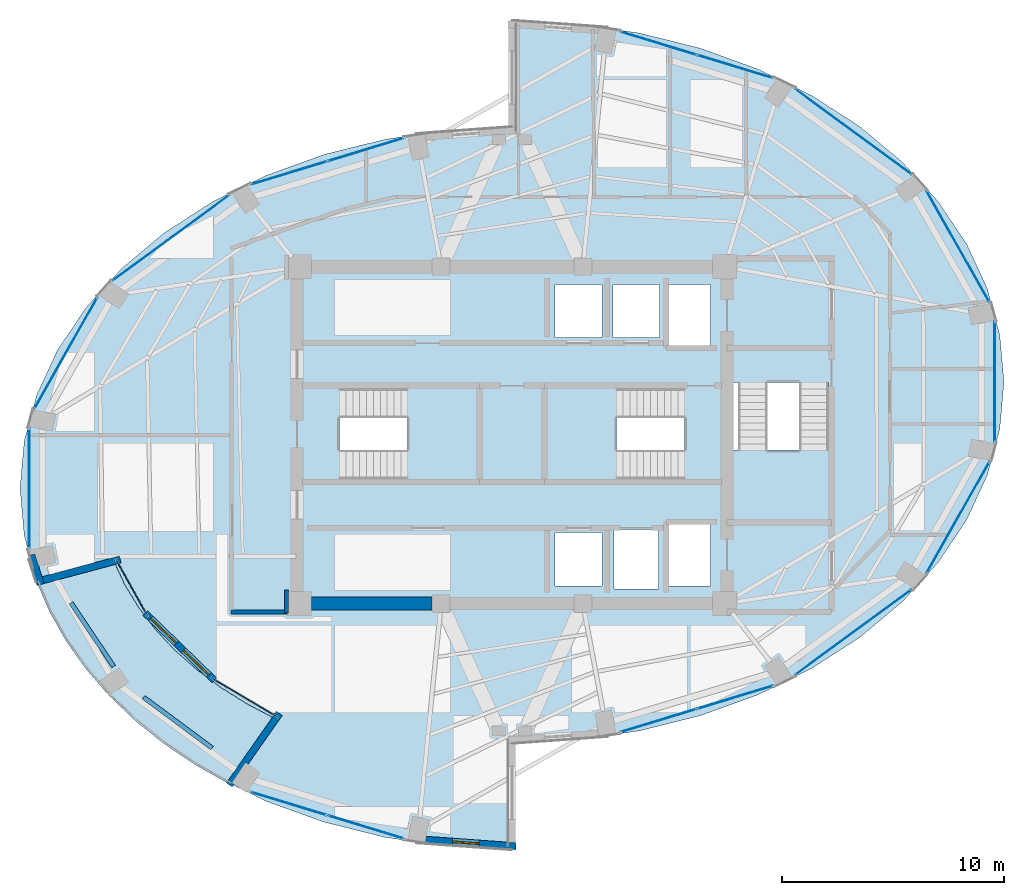
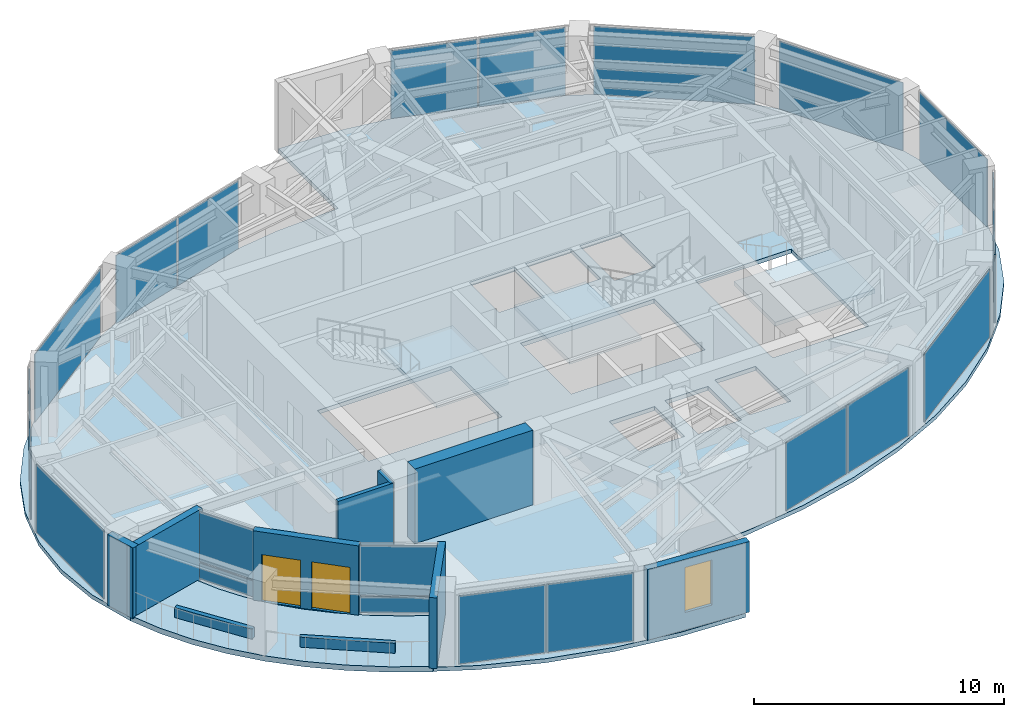
# One storey, part 16 of 21: 20 plates, 10 walls, 5 slabs, 2 doors, 1 window, 3 openings, 17 elements without a shape of their own.
"""IFC4 building model written with IfcOpenShell, lengths in metres."""

from ifc_helpers import new_model, si_unit, direction, frame, frame_2d, origin, origin_2d, place, context, subcontext, project, spatial, polyline, rectangle, outline, extrude, material, layer, layer_set, type_object, element, fill, aggregate, save


model = new_model("IFC4")

# Units and contexts
model_context = context("Model", 3, precision=1e-05, world=origin(), true_north=direction((0.0, 1.0)))
body_context = subcontext(model_context, "Body", "Model", "MODEL_VIEW")
ifc_project = project(units=[si_unit("LENGTHUNIT", "METRE"), si_unit("AREAUNIT", "SQUARE_METRE"), si_unit("VOLUMEUNIT", "CUBIC_METRE"), si_unit("PLANEANGLEUNIT", "RADIAN"), si_unit("MASSUNIT", "GRAM", prefix="KILO")], contexts=[model_context])

# Site, building, storey
site_placement = place(None, origin())
site = spatial("IfcSite", under=ifc_project, at=site_placement, CompositionType="ELEMENT")
building_placement = place(site_placement, origin())
building = spatial("IfcBuilding", under=site, at=building_placement, Name="Lazwardi Medical Tower", CompositionType="ELEMENT")
storey_placement = place(building_placement, frame((0.0, 0.0, 216.719970703125)))
storey = spatial("IfcBuildingStorey", under=building, at=storey_placement, Name="L56", CompositionType="ELEMENT", Elevation=216.719970703125)

# Curtain wall, plates
ifc_material_1 = material(Name="Anodised bronze aluminium and solar control glazing", Category="aluminium")
ifc_layer_1 = layer(ifc_material_1, 0.18994140625)
ifc_layer_set_1 = layer_set([ifc_layer_1], Name="Anodised bronze aluminium and solar control glazing")
curtain_wall_type_1 = type_object("IfcCurtainWallType", Name="CW-SYS-04", PredefinedType="NOTDEFINED", material=ifc_layer_set_1)
curtain_wall_1_placement = place(storey_placement, origin())
curtain_wall_1 = element("IfcCurtainWall", 1, at=curtain_wall_1_placement, inside=storey, type_object=curtain_wall_type_1, Name="L56 Unitised bronze curtain wall CW-04", PredefinedType="NOTDEFINED")
ifc_material_2 = material(Name="Low-e bronze solar control double glazing", Category="glass")
ifc_layer_2 = layer(ifc_material_2, 0.035888671875)
ifc_layer_set_2 = layer_set([ifc_layer_2], Name="Low-e bronze solar control double glazing")
plate_type_1 = type_object("IfcPlateType", Name="PLT-GLZ-01", PredefinedType="CURTAIN_PANEL", material=ifc_layer_set_2)
plate_1_placement = place(storey_placement, frame((42.604736328125, 15.118896484375, 0.06494140625), z_axis=(0.0, 0.0, 1.0), x_axis=(0.956850126972, 0.290581889515, 0.0)))
plate_1 = element("IfcPlate", 2, at=plate_1_placement, type_object=plate_type_1, Name="CW-04 panel 1.1", PredefinedType="CURTAIN_PANEL", context=body_context, shape_type="SweptSolid", body=[
    extrude(rectangle(XDim=3.554443359375, YDim=0.035888671875, at=origin_2d()), origin(), (0.0, 0.0, 1.0), 3.318115234375),
])
plate_2_placement = place(storey_placement, frame((46.068115234375, 16.170654296875, 0.06494140625), z_axis=(0.0, 0.0, 1.0), x_axis=(0.956850126972, 0.290581889515, 0.0)))
plate_2 = element("IfcPlate", 3, at=plate_2_placement, type_object=plate_type_1, Name="CW-04 panel 2.1", PredefinedType="CURTAIN_PANEL", context=body_context, shape_type="SweptSolid", body=[
    extrude(rectangle(XDim=3.554443359375, YDim=0.035888671875, at=origin_2d()), origin(), (0.0, 0.0, 1.0), 3.318115234375),
])
aggregate(curtain_wall_1, [plate_1, plate_2])

# Curtain wall, plate
curtain_wall_2_placement = place(storey_placement, origin())
curtain_wall_2 = element("IfcCurtainWall", 4, at=curtain_wall_2_placement, inside=storey, type_object=curtain_wall_type_1, Name="L56 Unitised bronze curtain wall CW-04", PredefinedType="NOTDEFINED")
plate_3_placement = place(storey_placement, frame((51.403564453125, 19.106689453125, 0.06494140625), z_axis=(0.0, 0.0, 1.0), x_axis=(0.806474971121, 0.591268230971, 0.0)))
plate_3 = element("IfcPlate", 5, at=plate_3_placement, type_object=plate_type_1, Name="CW-04 panel 1.1", PredefinedType="CURTAIN_PANEL", context=body_context, shape_type="SweptSolid", body=[
    extrude(rectangle(XDim=6.502685546875, YDim=0.035888671875, at=origin_2d()), origin(), (0.0, 0.0, 1.0), 3.318115234375),
])
aggregate(curtain_wall_2, [plate_3])

curtain_wall_3_placement = place(storey_placement, origin())
curtain_wall_3 = element("IfcCurtainWall", 6, at=curtain_wall_3_placement, inside=storey, type_object=curtain_wall_type_1, Name="L56 Unitised bronze curtain wall CW-04", PredefinedType="NOTDEFINED")
plate_4_placement = place(storey_placement, frame((56.125732421875, 24.2880859375, 0.06494140625), z_axis=(0.0, 0.0, 1.0), x_axis=(0.491900474661, 0.870651436011, 0.0)))
plate_4 = element("IfcPlate", 7, at=plate_4_placement, type_object=plate_type_1, Name="CW-04 panel 1.1", PredefinedType="CURTAIN_PANEL", context=body_context, shape_type="SweptSolid", body=[
    extrude(rectangle(XDim=5.755126953125, YDim=0.035888671875, at=origin_2d()), origin(), (0.0, 0.0, 1.0), 3.318115234375),
])
aggregate(curtain_wall_3, [plate_4])

curtain_wall_4_placement = place(storey_placement, origin())
curtain_wall_4 = element("IfcCurtainWall", 8, at=curtain_wall_4_placement, inside=storey, type_object=curtain_wall_type_1, Name="L56 Unitised bronze curtain wall CW-04", PredefinedType="NOTDEFINED")
plate_5_placement = place(storey_placement, frame((57.7841796875, 30.39990234375, 0.06494140625), z_axis=(0.0, 0.0, 1.0), x_axis=(0.0, 1.0, 0.0)))
plate_5 = element("IfcPlate", 9, at=plate_5_placement, type_object=plate_type_1, Name="CW-04 panel 1.1", PredefinedType="CURTAIN_PANEL", context=body_context, shape_type="SweptSolid", body=[
    extrude(rectangle(XDim=5.416015625, YDim=0.035888671875, at=origin_2d()), origin(), (0.0, 0.0, 1.0), 3.318115234375),
])
aggregate(curtain_wall_4, [plate_5])

curtain_wall_5_placement = place(storey_placement, origin())
curtain_wall_5 = element("IfcCurtainWall", 10, at=curtain_wall_5_placement, inside=storey, type_object=curtain_wall_type_1, Name="L56 Unitised bronze curtain wall CW-04", PredefinedType="NOTDEFINED")
plate_6_placement = place(storey_placement, frame((56.125732421875, 36.511962890625, 0.06494140625), z_axis=(0.0, 0.0, 1.0), x_axis=(-0.491900474661, 0.870651436011, 0.0)))
plate_6 = element("IfcPlate", 11, at=plate_6_placement, type_object=plate_type_1, Name="CW-04 panel 1.1", PredefinedType="CURTAIN_PANEL", context=body_context, shape_type="SweptSolid", body=[
    extrude(rectangle(XDim=5.755126953125, YDim=0.035888671875, at=origin_2d()), origin(), (0.0, 0.0, 1.0), 3.318115234375),
])
aggregate(curtain_wall_5, [plate_6])

curtain_wall_6_placement = place(storey_placement, origin())
curtain_wall_6 = element("IfcCurtainWall", 12, at=curtain_wall_6_placement, inside=storey, type_object=curtain_wall_type_1, Name="L56 Unitised bronze curtain wall CW-04", PredefinedType="NOTDEFINED")
plate_7_placement = place(storey_placement, frame((51.403564453125, 41.693359375, 0.06494140625), z_axis=(0.0, 0.0, 1.0), x_axis=(-0.806474971121, 0.591268230971, 0.0)))
plate_7 = element("IfcPlate", 13, at=plate_7_placement, type_object=plate_type_1, Name="CW-04 panel 1.1", PredefinedType="CURTAIN_PANEL", context=body_context, shape_type="SweptSolid", body=[
    extrude(rectangle(XDim=6.502685546875, YDim=0.035888671875, at=origin_2d()), origin(), (0.0, 0.0, 1.0), 3.318115234375),
])
aggregate(curtain_wall_6, [plate_7])

# Curtain wall, plates
curtain_wall_7_placement = place(storey_placement, origin())
curtain_wall_7 = element("IfcCurtainWall", 14, at=curtain_wall_7_placement, inside=storey, type_object=curtain_wall_type_1, Name="L56 Unitised bronze curtain wall CW-04", PredefinedType="NOTDEFINED")
plate_8_placement = place(storey_placement, frame((46.068115234375, 44.62939453125, 0.06494140625), z_axis=(0.0, 0.0, 1.0), x_axis=(-0.956850126972, 0.290581889515, 0.0)))
plate_8 = element("IfcPlate", 15, at=plate_8_placement, type_object=plate_type_1, Name="CW-04 panel 1.1", PredefinedType="CURTAIN_PANEL", context=body_context, shape_type="SweptSolid", body=[
    extrude(rectangle(XDim=3.554443359375, YDim=0.035888671875, at=origin_2d()), origin(), (0.0, 0.0, 1.0), 3.318115234375),
])
plate_9_placement = place(storey_placement, frame((42.604736328125, 45.68115234375, 0.06494140625), z_axis=(0.0, 0.0, 1.0), x_axis=(-0.956850126972, 0.290581889515, 0.0)))
plate_9 = element("IfcPlate", 16, at=plate_9_placement, type_object=plate_type_1, Name="CW-04 panel 2.1", PredefinedType="CURTAIN_PANEL", context=body_context, shape_type="SweptSolid", body=[
    extrude(rectangle(XDim=3.554443359375, YDim=0.035888671875, at=origin_2d()), origin(), (0.0, 0.0, 1.0), 3.318115234375),
])
aggregate(curtain_wall_7, [plate_8, plate_9])

curtain_wall_8_placement = place(storey_placement, origin())
curtain_wall_8 = element("IfcCurtainWall", 17, at=curtain_wall_8_placement, inside=storey, type_object=curtain_wall_type_1, Name="L56 Unitised bronze curtain wall CW-04", PredefinedType="NOTDEFINED")
plate_10_placement = place(storey_placement, frame((29.395263671875, 40.881103515625, 0.06494140625), z_axis=(0.0, 0.0, 1.0), x_axis=(-0.956850126972, -0.290581889515, 0.0)))
plate_10 = element("IfcPlate", 18, at=plate_10_placement, type_object=plate_type_1, Name="CW-04 panel 1.1", PredefinedType="CURTAIN_PANEL", context=body_context, shape_type="SweptSolid", body=[
    extrude(rectangle(XDim=3.554443359375, YDim=0.035888671875, at=origin_2d()), origin(), (0.0, 0.0, 1.0), 3.318115234375),
])
plate_11_placement = place(storey_placement, frame((25.931884765625, 39.829345703125, 0.06494140625), z_axis=(0.0, 0.0, 1.0), x_axis=(-0.956850126972, -0.290581889515, 0.0)))
plate_11 = element("IfcPlate", 19, at=plate_11_placement, type_object=plate_type_1, Name="CW-04 panel 2.1", PredefinedType="CURTAIN_PANEL", context=body_context, shape_type="SweptSolid", body=[
    extrude(rectangle(XDim=3.554443359375, YDim=0.035888671875, at=origin_2d()), origin(), (0.0, 0.0, 1.0), 3.318115234375),
])
aggregate(curtain_wall_8, [plate_10, plate_11])

# Curtain wall, plate
curtain_wall_9_placement = place(storey_placement, origin())
curtain_wall_9 = element("IfcCurtainWall", 20, at=curtain_wall_9_placement, inside=storey, type_object=curtain_wall_type_1, Name="L56 Unitised bronze curtain wall CW-04", PredefinedType="NOTDEFINED")
plate_12_placement = place(storey_placement, frame((20.596435546875, 36.893310546875, 0.06494140625), z_axis=(0.0, 0.0, 1.0), x_axis=(-0.806474971121, -0.591268230971, 0.0)))
plate_12 = element("IfcPlate", 21, at=plate_12_placement, type_object=plate_type_1, Name="CW-04 panel 1.1", PredefinedType="CURTAIN_PANEL", context=body_context, shape_type="SweptSolid", body=[
    extrude(rectangle(XDim=6.502685546875, YDim=0.035888671875, at=origin_2d()), origin(), (0.0, 0.0, 1.0), 3.318115234375),
])
aggregate(curtain_wall_9, [plate_12])

curtain_wall_10_placement = place(storey_placement, origin())
curtain_wall_10 = element("IfcCurtainWall", 22, at=curtain_wall_10_placement, inside=storey, type_object=curtain_wall_type_1, Name="L56 Unitised bronze curtain wall CW-04", PredefinedType="NOTDEFINED")
plate_13_placement = place(storey_placement, frame((15.874267578125, 31.7119140625, 0.06494140625), z_axis=(0.0, 0.0, 1.0), x_axis=(-0.491900474661, -0.870651436011, 0.0)))
plate_13 = element("IfcPlate", 23, at=plate_13_placement, type_object=plate_type_1, Name="CW-04 panel 1.1", PredefinedType="CURTAIN_PANEL", context=body_context, shape_type="SweptSolid", body=[
    extrude(rectangle(XDim=5.755126953125, YDim=0.035888671875, at=origin_2d()), origin(), (0.0, 0.0, 1.0), 3.318115234375),
])
aggregate(curtain_wall_10, [plate_13])

curtain_wall_11_placement = place(storey_placement, origin())
curtain_wall_11 = element("IfcCurtainWall", 24, at=curtain_wall_11_placement, inside=storey, type_object=curtain_wall_type_1, Name="L56 Unitised bronze curtain wall CW-04", PredefinedType="NOTDEFINED")
plate_14_placement = place(storey_placement, frame((14.2158203125, 25.60009765625, 0.06494140625), z_axis=(0.0, 0.0, 1.0), x_axis=(0.0, -1.0, 0.0)))
plate_14 = element("IfcPlate", 25, at=plate_14_placement, type_object=plate_type_1, Name="CW-04 panel 1.1", PredefinedType="CURTAIN_PANEL", context=body_context, shape_type="SweptSolid", body=[
    extrude(rectangle(XDim=5.416015625, YDim=0.035888671875, at=origin_2d()), origin(), (0.0, 0.0, 1.0), 3.318115234375),
])
aggregate(curtain_wall_11, [plate_14])

# Curtain wall, plates
curtain_wall_12_placement = place(storey_placement, origin())
curtain_wall_12 = element("IfcCurtainWall", 26, at=curtain_wall_12_placement, inside=storey, type_object=curtain_wall_type_1, Name="L56 Unitised bronze curtain wall CW-04", PredefinedType="NOTDEFINED")
plate_15_placement = place(storey_placement, frame((25.931884765625, 11.37060546875, 0.06494140625), z_axis=(0.0, 0.0, 1.0), x_axis=(0.956850126972, -0.290581889515, 0.0)))
plate_15 = element("IfcPlate", 27, at=plate_15_placement, type_object=plate_type_1, Name="CW-04 panel 1.1", PredefinedType="CURTAIN_PANEL", context=body_context, shape_type="SweptSolid", body=[
    extrude(rectangle(XDim=3.554443359375, YDim=0.035888671875, at=origin_2d()), origin(), (0.0, 0.0, 1.0), 3.318115234375),
])
plate_16_placement = place(storey_placement, frame((29.395263671875, 10.31884765625, 0.06494140625), z_axis=(0.0, 0.0, 1.0), x_axis=(0.956850126972, -0.290581889515, 0.0)))
plate_16 = element("IfcPlate", 28, at=plate_16_placement, type_object=plate_type_1, Name="CW-04 panel 2.1", PredefinedType="CURTAIN_PANEL", context=body_context, shape_type="SweptSolid", body=[
    extrude(rectangle(XDim=3.554443359375, YDim=0.035888671875, at=origin_2d()), origin(), (0.0, 0.0, 1.0), 3.318115234375),
])
aggregate(curtain_wall_12, [plate_15, plate_16])

ifc_layer_3 = layer(ifc_material_1, 0.239990234375)
ifc_layer_set_3 = layer_set([ifc_layer_3], Name="Anodised bronze aluminium and solar control glazing")
curtain_wall_type_2 = type_object("IfcCurtainWallType", Name="CW-SYS-05", PredefinedType="NOTDEFINED", material=ifc_layer_set_3)
curtain_wall_13_placement = place(storey_placement, origin())
curtain_wall_13 = element("IfcCurtainWall", 29, at=curtain_wall_13_placement, inside=storey, type_object=curtain_wall_type_2, Name="L56 Unitised bronze curtain wall CW-05", PredefinedType="NOTDEFINED")
ifc_material_3 = material(Name="Laminated acoustic bronze double glazing", Category="glass")
ifc_layer_4 = layer(ifc_material_3, 0.0419921875)
ifc_layer_set_4 = layer_set([ifc_layer_4], Name="Laminated acoustic bronze double glazing")
plate_type_2 = type_object("IfcPlateType", Name="PLT-GLZ-02", PredefinedType="CURTAIN_PANEL", material=ifc_layer_set_4)
plate_17_placement = place(storey_placement, frame((18.842041015625, 21.116455078125, 0.0849609375), z_axis=(0.0, 0.0, 1.0), x_axis=(0.491175574998, -0.871060591765, 0.0)))
plate_17 = element("IfcPlate", 30, at=plate_17_placement, type_object=plate_type_2, Name="CW-05 panel 1.1", PredefinedType="CURTAIN_PANEL", context=body_context, shape_type="SweptSolid", body=[
    extrude(rectangle(XDim=2.648681640625, YDim=0.0419921875, at=origin_2d()), origin(), (0.0, 0.0, 1.0), 0.7724609375),
])
plate_18_placement = place(storey_placement, frame((18.842041015625, 21.116455078125, 0.942626953125), z_axis=(0.0, 0.0, 1.0), x_axis=(0.491175574998, -0.871060591765, 0.0)))
plate_18 = element("IfcPlate", 31, at=plate_18_placement, type_object=plate_type_2, Name="CW-05 panel 1.2", PredefinedType="CURTAIN_PANEL", context=body_context, shape_type="SweptSolid", body=[
    extrude(rectangle(XDim=2.648681640625, YDim=0.0419921875, at=origin_2d()), origin(), (0.0, 0.0, 1.0), 2.42041015625),
])
aggregate(curtain_wall_13, [plate_17, plate_18])

curtain_wall_14_placement = place(storey_placement, origin())
curtain_wall_14 = element("IfcCurtainWall", 32, at=curtain_wall_14_placement, inside=storey, type_object=curtain_wall_type_2, Name="L56 Unitised bronze curtain wall CW-05", PredefinedType="NOTDEFINED")
plate_19_placement = place(storey_placement, frame((23.9423828125, 16.15771484375, 0.0849609375), z_axis=(0.0, 0.0, 1.0), x_axis=(0.860604932232, -0.509273159137, 0.0)))
plate_19 = element("IfcPlate", 33, at=plate_19_placement, type_object=plate_type_2, Name="CW-05 panel 1.1", PredefinedType="CURTAIN_PANEL", context=body_context, shape_type="SweptSolid", body=[
    extrude(rectangle(XDim=3.218017578125, YDim=0.0419921875, at=origin_2d()), origin(), (0.0, 0.0, 1.0), 0.7724609375),
])
plate_20_placement = place(storey_placement, frame((23.9423828125, 16.15771484375, 0.942626953125), z_axis=(0.0, 0.0, 1.0), x_axis=(0.860604932232, -0.509273159137, 0.0)))
plate_20 = element("IfcPlate", 34, at=plate_20_placement, type_object=plate_type_2, Name="CW-05 panel 1.2", PredefinedType="CURTAIN_PANEL", context=body_context, shape_type="SweptSolid", body=[
    extrude(rectangle(XDim=3.218017578125, YDim=0.0419921875, at=origin_2d()), origin(), (0.0, 0.0, 1.0), 2.42041015625),
])
aggregate(curtain_wall_14, [plate_19, plate_20])

# Stair, slab
ifc_material_4 = material(Name="Concrete C45/55", Category="concrete")
stair_type = type_object("IfcStairType", Name="STR-WRD", PredefinedType="HALF_TURN_STAIR", material=ifc_material_4)
stair_1_placement = place(storey_placement, origin())
stair_1 = element("IfcStair", 35, at=stair_1_placement, inside=storey, type_object=stair_type, Name="L56 Protected Exit Stair ST1", PredefinedType="HALF_TURN_STAIR")
ifc_layer_5 = layer(ifc_material_4, 0.199951171875)
ifc_layer_set_5 = layer_set([ifc_layer_5], Name="Concrete C45/55")
slab_type_1 = type_object("IfcSlabType", Name="SLB-LND-190", PredefinedType="LANDING", material=ifc_layer_set_5)
slab_1_placement = place(storey_placement, frame((0.0, 0.0, 1.6240234375)))
slab_1 = element("IfcSlab", 36, at=slab_1_placement, type_object=slab_type_1, Name="ST1 landing 1", PredefinedType="LANDING", context=body_context, shape_type="SweptSolid", body=[
    extrude(outline(polyline([(31.27490234375, 25.840087890625), (34.580078125, 25.840087890625), (34.580078125, 30.280029296875), (31.27490234375, 30.280029296875), (31.27490234375, 25.840087890625)])), origin(), (0.0, 0.0, 1.0), 0.199951171875),
])
aggregate(stair_1, [slab_1])

stair_2_placement = place(storey_placement, origin())
stair_2 = element("IfcStair", 37, at=stair_2_placement, inside=storey, type_object=stair_type, Name="L56 Protected Exit Stair ST2", PredefinedType="HALF_TURN_STAIR")
slab_2_placement = place(storey_placement, frame((0.0, 0.0, 1.6240234375)))
slab_2 = element("IfcSlab", 38, at=slab_2_placement, type_object=slab_type_1, Name="ST2 landing 1", PredefinedType="LANDING", context=body_context, shape_type="SweptSolid", body=[
    extrude(outline(polyline([(40.72509765625, 30.280029296875), (37.419921875, 30.280029296875), (37.419921875, 25.840087890625), (40.72509765625, 25.840087890625), (40.72509765625, 30.280029296875)])), origin(), (0.0, 0.0, 1.0), 0.199951171875),
])
aggregate(stair_2, [slab_2])

stair_3_placement = place(storey_placement, origin())
stair_3 = element("IfcStair", 39, at=stair_3_placement, inside=storey, type_object=stair_type, Name="L56 Protected Exit Stair ST3", PredefinedType="HALF_TURN_STAIR")
slab_3_placement = place(storey_placement, frame((0.0, 0.0, 1.6240234375)))
slab_3 = element("IfcSlab", 40, at=slab_3_placement, type_object=slab_type_1, Name="ST3 landing 1", PredefinedType="LANDING", context=body_context, shape_type="SweptSolid", body=[
    extrude(outline(polyline([(45.860107421875, 27.324951171875), (45.860107421875, 24.02001953125), (50.4599609375, 24.02001953125), (50.4599609375, 27.324951171875), (45.860107421875, 27.324951171875)])), origin(), (0.0, 0.0, 1.0), 0.199951171875),
])
aggregate(stair_3, [slab_3])

# Slabs
ifc_material_5 = material(Name="Concrete C50/60", Category="concrete")
ifc_layer_6 = layer(ifc_material_5, 0.260009765625)
ifc_layer_set_6 = layer_set([ifc_layer_6], Name="Concrete C50/60")
slab_type_2 = type_object("IfcSlabType", Name="SLB-SKG-260", PredefinedType="ROOF", material=ifc_layer_set_6)
slab_4_placement = place(storey_placement, frame((0.0, 0.0, -0.199951171875)))
element("IfcSlab", 41, at=slab_4_placement, inside=storey, type_object=slab_type_2, Name="L56 Sky Garden SG4 Planted Terrace Slab", PredefinedType="ROOF", context=body_context, shape_type="SweptSolid", body=[
    extrude(outline(polyline([(15.138916015625, 20.025146484375), (15.8798828125, 18.711181640625), (16.774169921875, 17.449951171875), (17.814697265625, 16.250732421875), (18.993896484375, 15.12255859375), (20.30224609375, 14.07421875), (21.72998046875, 13.113525390625), (23.2666015625, 12.247802734375), (25.33154296875, 15.19677734375), (24.044189453125, 15.87109375), (22.847900390625, 16.61962890625), (21.751708984375, 17.4365234375), (20.763916015625, 18.315673828125), (19.891845703125, 19.25), (19.142578125, 20.232666015625), (18.521728515625, 21.25634765625), (18.03369140625, 22.31298828125), (14.556396484375, 21.381103515625), (15.138916015625, 20.025146484375)])), origin(), (0.0, 0.0, 1.0), 0.260009765625),
])
ifc_layer_7 = layer(ifc_material_5, 0.199951171875)
ifc_layer_set_7 = layer_set([ifc_layer_7], Name="Concrete C50/60")
slab_type_3 = type_object("IfcSlabType", Name="SLB-UPP-200", PredefinedType="FLOOR", material=ifc_layer_set_7)
slab_5_placement = place(storey_placement, frame((0.0, 0.0, -0.199951171875)))
element("IfcSlab", 42, at=slab_5_placement, inside=storey, type_object=slab_type_3, Name="Structural floor slab SF-04 L56", PredefinedType="FLOOR", context=body_context, shape_type="SweptSolid", body=[
    extrude(outline(polyline([(22.485595703125, 38.53173828125), (20.30224609375, 37.125732421875), (18.3876953125, 35.522705078125), (16.774169921875, 33.75), (15.489990234375, 31.837646484375), (14.556396484375, 29.81884765625), (13.989990234375, 27.7275390625), (13.800048828125, 25.60009765625), (13.989990234375, 23.472412109375), (14.55517578125, 21.385986328125), (14.55517578125, 21.385986328125), (18.032470703125, 22.31787109375), (18.032958984375, 22.31787109375), (18.033447265625, 22.318115234375), (18.033935546875, 22.318115234375), (18.034423828125, 22.318115234375), (18.034912109375, 22.31787109375), (18.035400390625, 22.317626953125), (18.035888671875, 22.3173828125), (18.036376953125, 22.3173828125), (18.036865234375, 22.31689453125), (18.037109375, 22.316650390625), (18.03759765625, 22.31640625), (18.037841796875, 22.31591796875), (18.0380859375, 22.3154296875), (18.038330078125, 22.315185546875), (18.526123046875, 21.2587890625), (19.146728515625, 20.235595703125), (19.895751953125, 19.253173828125), (20.767333984375, 18.319091796875), (21.7548828125, 17.4404296875), (22.8505859375, 16.623779296875), (24.046630859375, 15.87548828125), (25.333740234375, 15.201171875), (25.334228515625, 15.200927734375), (25.334716796875, 15.20068359375), (25.3349609375, 15.2001953125), (25.33544921875, 15.199951171875), (25.335693359375, 15.19970703125), (25.3359375, 15.19921875), (25.336181640625, 15.19873046875), (25.336181640625, 15.1982421875), (25.33642578125, 15.19775390625), (25.33642578125, 15.197265625), (25.33642578125, 15.19677734375), (25.33642578125, 15.1962890625), (25.33642578125, 15.19580078125), (25.336181640625, 15.1953125), (25.336181640625, 15.19482421875), (25.3359375, 15.1943359375), (25.335693359375, 15.19384765625), (23.29052734375, 12.273193359375), (24.89990234375, 11.48388671875), (27.50439453125, 10.540771484375), (30.254150390625, 9.85546875), (33.102294921875, 9.439453125), (36.0, 9.300048828125), (36.0, 14.10009765625), (38.897705078125, 14.239501953125), (41.745849609375, 14.655517578125), (44.49560546875, 15.3408203125), (47.10009765625, 16.28369140625), (49.514404296875, 17.46826171875), (51.69775390625, 18.874267578125), (53.6123046875, 20.477294921875), (55.225830078125, 22.25), (56.510009765625, 24.162353515625), (57.443603515625, 26.18115234375), (58.010009765625, 28.2724609375), (58.199951171875, 30.39990234375), (58.010009765625, 32.527587890625), (57.443603515625, 34.618896484375), (56.510009765625, 36.6376953125), (55.225830078125, 38.550048828125), (53.6123046875, 40.32275390625), (51.69775390625, 41.92578125), (49.514404296875, 43.331787109375), (47.10009765625, 44.51611328125), (44.49560546875, 45.459228515625), (41.745849609375, 46.14453125), (38.897705078125, 46.560546875), (36.0, 46.699951171875), (36.0, 41.89990234375), (33.102294921875, 41.760498046875), (30.254150390625, 41.344482421875), (27.50439453125, 40.6591796875), (24.89990234375, 39.71630859375), (22.485595703125, 38.53173828125)]), holes=[polyline([(28.22509765625, 26.02001953125), (28.22509765625, 30.10009765625), (34.39990234375, 30.10009765625), (34.39990234375, 26.02001953125), (28.22509765625, 26.02001953125)]), polyline([(37.60009765625, 30.10009765625), (43.77490234375, 30.10009765625), (43.77490234375, 26.02001953125), (37.60009765625, 26.02001953125), (37.60009765625, 30.10009765625)]), polyline([(50.280029296875, 30.375), (50.280029296875, 24.179931640625), (45.840087890625, 24.179931640625), (45.840087890625, 30.375), (50.280029296875, 30.375)]), polyline([(40.050048828125, 32.39990234375), (37.949951171875, 32.39990234375), (37.949951171875, 34.800048828125), (40.050048828125, 34.800048828125), (40.050048828125, 32.39990234375)]), polyline([(40.550048828125, 32.39990234375), (40.550048828125, 34.800048828125), (42.64990234375, 34.800048828125), (42.64990234375, 32.39990234375), (40.550048828125, 32.39990234375)]), polyline([(37.949951171875, 23.60009765625), (40.050048828125, 23.60009765625), (40.050048828125, 21.199951171875), (37.949951171875, 21.199951171875), (37.949951171875, 23.60009765625)]), polyline([(44.949951171875, 34.800048828125), (44.949951171875, 32.0), (43.050048828125, 32.0), (43.050048828125, 34.800048828125), (44.949951171875, 34.800048828125)]), polyline([(44.949951171875, 21.199951171875), (43.050048828125, 21.199951171875), (43.050048828125, 24.0), (44.949951171875, 24.0), (44.949951171875, 21.199951171875)]), polyline([(40.60009765625, 21.050048828125), (40.60009765625, 23.75), (42.60009765625, 23.75), (42.60009765625, 21.050048828125), (40.60009765625, 21.050048828125)])]), origin(), (0.0, 0.0, 1.0), 0.199951171875),
])

# Walls
ifc_material_6 = material(Name="Fire-rated gypsum board on steel stud", Category="steel")
ifc_layer_8 = layer(ifc_material_6, 0.179931640625)
ifc_layer_set_8 = layer_set([ifc_layer_8], Name="Fire-rated gypsum board on steel stud")
wall_type_1 = type_object("IfcWallType", Name="WL-COR-180", PredefinedType="PARTITIONING", material=ifc_layer_set_8)
wall_1_placement = place(storey_placement, frame((25.830078125, 21.010009765625, 0.0), z_axis=(0.0, 0.0, 1.0), x_axis=(0.0, -1.0, 0.0)))
element("IfcWall", 43, at=wall_1_placement, inside=storey, type_object=wall_type_1, Name="L56 Corridor partition 8", PredefinedType="PARTITIONING", context=body_context, shape_type="SweptSolid", body=[
    extrude(rectangle(XDim=1.030029296875, YDim=0.179931640625, at=frame_2d((0.51513671875, 0.0))), origin(), (0.0, 0.0, 1.0), 3.447998046875),
])
wall_2_placement = place(storey_placement, frame((25.8701171875, 20.02001953125, 0.0), z_axis=(0.0, 0.0, 1.0), x_axis=(-1.0, 0.0, 0.0)))
element("IfcWall", 44, at=wall_2_placement, inside=storey, type_object=wall_type_1, Name="L56 Corridor partition 9", PredefinedType="PARTITIONING", context=body_context, shape_type="SweptSolid", body=[
    extrude(rectangle(XDim=2.56005859375, YDim=0.179931640625, at=frame_2d((1.280029296875, 0.0))), origin(), (0.0, 0.0, 1.0), 3.447998046875),
])
ifc_material_7 = material(Name="Concrete C60/75", Category="concrete")
ifc_layer_9 = layer(ifc_material_7, 0.60009765625)
ifc_layer_set_9 = layer_set([ifc_layer_9], Name="Concrete C60/75")
wall_type_2 = type_object("IfcWallType", Name="WL-CORE-600", PredefinedType="SHEAR", material=ifc_layer_set_9)
wall_3_placement = place(storey_placement, frame((26.949951171875, 20.39990234375, 0.0), z_axis=(0.0, 0.0, 1.0), x_axis=(1.0, 0.0, 0.0)))
element("IfcWall", 45, at=wall_3_placement, inside=storey, type_object=wall_type_2, Name="Core wall CW-S3 S1 L56", PredefinedType="SHEAR", context=body_context, shape_type="SweptSolid", body=[
    extrude(rectangle(XDim=5.449951171875, YDim=0.60009765625, at=frame_2d((2.72509765625, 0.0))), origin(), (0.0, 0.0, 1.0), 3.64794921875),
])

# Wall, opening, window
ifc_material_8 = material(Name="Precast concrete C45/55", Category="concrete")
ifc_layer_10 = layer(ifc_material_8, 0.320068359375)
ifc_layer_set_10 = layer_set([ifc_layer_10], Name="Precast concrete C45/55")
wall_type_3 = type_object("IfcWallType", Name="WL-IWAN-320", PredefinedType="SOLIDWALL", material=ifc_layer_set_10)
wall_4_placement = place(storey_placement, frame((31.650390625, 9.773681640625, 0.0), z_axis=(0.0, 0.0, 1.0), x_axis=(0.997408782787, -0.071942477163, 0.0)))
wall_4 = element("IfcWall", 46, at=wall_4_placement, inside=storey, type_object=wall_type_3, Name="L56 Iwan Portal Return Wall SW_ret", PredefinedType="SOLIDWALL", context=body_context, shape_type="SweptSolid", body=[
    extrude(rectangle(XDim=4.54052734375, YDim=0.320068359375, at=frame_2d((2.270263671875, 0.0))), origin(), (0.0, 0.0, 1.0), 3.447998046875),
])
opening_1_placement = place(wall_4_placement, frame((1.67041015625, 0.0, 0.85009765625)))
opening_1 = element("IfcOpeningElement", 47, at=opening_1_placement, cuts=wall_4, Name="Opening WN-01", PredefinedType="OPENING", context=body_context, shape_type="SweptSolid", body=[
    extrude(rectangle(XDim=1.199951171875, YDim=2.199951171875, at=frame_2d((0.60009765625, 1.10009765625))), frame((0.0, 0.169921875, 0.0), z_axis=(0.0, -1.0, 0.0), x_axis=(1.0, 0.0, 0.0)), (0.0, 0.0, 1.0), 0.340087890625),
])
window_type = type_object("IfcWindowType", Name="WIN-IW-1200", PartitioningType="SINGLE_PANEL", PredefinedType="WINDOW", material=ifc_material_2)
window_placement = place(opening_1_placement, origin())
window = element("IfcWindow", 48, at=window_placement, inside=storey, type_object=window_type, Name="L56 Iwan Slot Window SW_ret", OverallHeight=2.199951171875, OverallWidth=1.199951171875, PartitioningType="SINGLE_PANEL", PredefinedType="WINDOW", context=body_context, shape_type="SweptSolid", body=[
    extrude(rectangle(XDim=1.199951171875, YDim=2.199951171875, at=frame_2d((0.60009765625, 1.10009765625))), frame((0.0, 0.030029296875, 0.0), z_axis=(0.0, -1.0, 0.0), x_axis=(1.0, 0.0, 0.0)), (0.0, 0.0, 1.0), 0.06005859375),
])
fill(opening_1, window)

# Walls
for number, where, z_axis, x_axis, name in (
    (49, (14.517822265625, 21.370849609375, 0.0), (0.0, 0.0, 1.0), (0.965922604174, 0.258831069902, 0.0), "L56 Sky Garden SG4 Flank Wall S0"),
    (50, (23.24365234375, 12.215087890625, 0.0), (0.0, 0.0, 1.0), (0.573616208731, 0.81912419393, 0.0), "L56 Sky Garden SG4 Flank Wall S1"),
):
    element("IfcWall", number, at=place(storey_placement, frame(where, z_axis=z_axis, x_axis=x_axis)), inside=storey, type_object=wall_type_3, Name=name, PredefinedType="SOLIDWALL", context=body_context, shape_type="SweptSolid", body=[
        extrude(rectangle(XDim=3.93994140625, YDim=0.320068359375, at=frame_2d((1.969970703125, 0.0))), origin(), (0.0, 0.0, 1.0), 3.447998046875),
    ])
wall_5_placement = place(storey_placement, frame((14.3154296875, 22.599853515625, 0.0), z_axis=(0.0, 0.0, 1.0), x_axis=(0.303232429921, -0.952916624603, 0.0)))
element("IfcWall", 51, at=wall_5_placement, inside=storey, type_object=wall_type_3, Name="L56 Sky Garden SG4 Jamb Return Wall", PredefinedType="SOLIDWALL", context=body_context, shape_type="SweptSolid", body=[
    extrude(rectangle(XDim=1.40087890625, YDim=0.320068359375, at=frame_2d((0.700439453125, 0.0))), origin(), (0.0, 0.0, 1.0), 3.447998046875),
])

# Wall, openings, doors
ifc_layer_11 = layer(ifc_material_8, 0.300048828125)
ifc_layer_set_11 = layer_set([ifc_layer_11], Name="Precast concrete C45/55")
wall_type_4 = type_object("IfcWallType", Name="WL-LOBBY-300", PredefinedType="SOLIDWALL", material=ifc_layer_set_11)
wall_6_placement = place(storey_placement, frame((19.4482421875, 19.972412109375, 0.0), z_axis=(0.0, 0.0, 1.0), x_axis=(0.717015934543, -0.697056776462, 0.0)))
wall_6 = element("IfcWall", 52, at=wall_6_placement, inside=storey, type_object=wall_type_4, Name="L56 Sky Garden SG4 Loggia Portal Wall", PredefinedType="SOLIDWALL", context=body_context, shape_type="SweptSolid", body=[
    extrude(rectangle(XDim=4.3544921875, YDim=0.300048828125, at=frame_2d((2.17724609375, 0.0))), origin(), (0.0, 0.0, 1.0), 3.447998046875),
])
opening_2_placement = place(wall_6_placement, frame((0.35009765625, 0.0, 0.0400390625)))
opening_2 = element("IfcOpeningElement", 53, at=opening_2_placement, cuts=wall_6, Name="Opening D-L56-021", PredefinedType="OPENING", context=body_context, shape_type="SweptSolid", body=[
    extrude(rectangle(XDim=1.60009765625, YDim=2.300048828125, at=frame_2d((0.800048828125, 1.14990234375))), frame((0.0, 0.159912109375, 0.0), z_axis=(0.0, -1.0, 0.0), x_axis=(1.0, 0.0, 0.0)), (0.0, 0.0, 1.0), 0.320068359375),
])
opening_3_placement = place(wall_6_placement, frame((2.40478515625, 0.0, 0.0400390625)))
opening_3 = element("IfcOpeningElement", 54, at=opening_3_placement, cuts=wall_6, Name="Opening D-L56-022", PredefinedType="OPENING", context=body_context, shape_type="SweptSolid", body=[
    extrude(rectangle(XDim=1.60009765625, YDim=2.300048828125, at=frame_2d((0.800048828125, 1.14990234375))), frame((0.0, 0.159912109375, 0.0), z_axis=(0.0, -1.0, 0.0), x_axis=(1.0, 0.0, 0.0)), (0.0, 0.0, 1.0), 0.320068359375),
])
ifc_material_9 = material(Name="Anodised bronze aluminium and laminated glass", Category="aluminium")
door_type = type_object("IfcDoorType", Name="DR-SKG-1600", OperationType="NOTDEFINED", PredefinedType="DOOR", material=ifc_material_9)
door_1_placement = place(opening_2_placement, origin())
door_1 = element("IfcDoor", 55, at=door_1_placement, inside=storey, type_object=door_type, Name="L56 Sky Garden SG4 Terrace Door 1", OperationType="DOUBLE_DOOR_SINGLE_SWING", OverallHeight=2.300048828125, OverallWidth=1.60009765625, PredefinedType="DOOR", context=body_context, shape_type="SweptSolid", body=[
    extrude(rectangle(XDim=1.60009765625, YDim=2.300048828125, at=frame_2d((0.800048828125, 1.14990234375))), frame((0.0, 0.02490234375, 0.0), z_axis=(0.0, -1.0, 0.0), x_axis=(1.0, 0.0, 0.0)), (0.0, 0.0, 1.0), 0.050048828125),
])
fill(opening_2, door_1)
door_2_placement = place(opening_3_placement, origin())
door_2 = element("IfcDoor", 56, at=door_2_placement, inside=storey, type_object=door_type, Name="L56 Sky Garden SG4 Terrace Door 2", OperationType="DOUBLE_DOOR_SINGLE_SWING", OverallHeight=2.300048828125, OverallWidth=1.60009765625, PredefinedType="DOOR", context=body_context, shape_type="SweptSolid", body=[
    extrude(rectangle(XDim=1.60009765625, YDim=2.300048828125, at=frame_2d((0.800048828125, 1.14990234375))), frame((0.0, 0.02490234375, 0.0), z_axis=(0.0, -1.0, 0.0), x_axis=(1.0, 0.0, 0.0)), (0.0, 0.0, 1.0), 0.050048828125),
])
fill(opening_3, door_2)

# Walls
ifc_material_10 = material(Name="Precast concrete C40/50", Category="concrete")
ifc_layer_12 = layer(ifc_material_10, 0.199951171875)
ifc_layer_set_12 = layer_set([ifc_layer_12], Name="Precast concrete C40/50")
wall_type_5 = type_object("IfcWallType", Name="WL-PLN-200", PredefinedType="PARAPET", material=ifc_layer_set_12)
wall_7_placement = place(storey_placement, frame((16.100341796875, 20.43408203125, 0.0), z_axis=(0.0, 0.0, 1.0), x_axis=(0.556931815888, -0.830558217377, 0.0)))
element("IfcWall", 57, at=wall_7_placement, inside=storey, type_object=wall_type_5, Name="L56 Sky Garden SG4 Structural Planter 1", PredefinedType="PARAPET", context=body_context, shape_type="SweptSolid", body=[
    extrude(rectangle(XDim=3.45556640625, YDim=0.199951171875, at=frame_2d((1.727783203125, 0.0))), origin(), (0.0, 0.0, 1.0), 0.550048828125),
])
wall_8_placement = place(storey_placement, frame((19.379150390625, 16.169189453125, 0.0), z_axis=(0.0, 0.0, 1.0), x_axis=(0.803301275502, -0.595572884522, 0.0)))
element("IfcWall", 58, at=wall_8_placement, inside=storey, type_object=wall_type_5, Name="L56 Sky Garden SG4 Structural Planter 2", PredefinedType="PARAPET", context=body_context, shape_type="SweptSolid", body=[
    extrude(rectangle(XDim=3.83740234375, YDim=0.199951171875, at=frame_2d((1.918701171875, 0.0))), origin(), (0.0, 0.0, 1.0), 0.550048828125),
])

save(model, "model.ifc")
